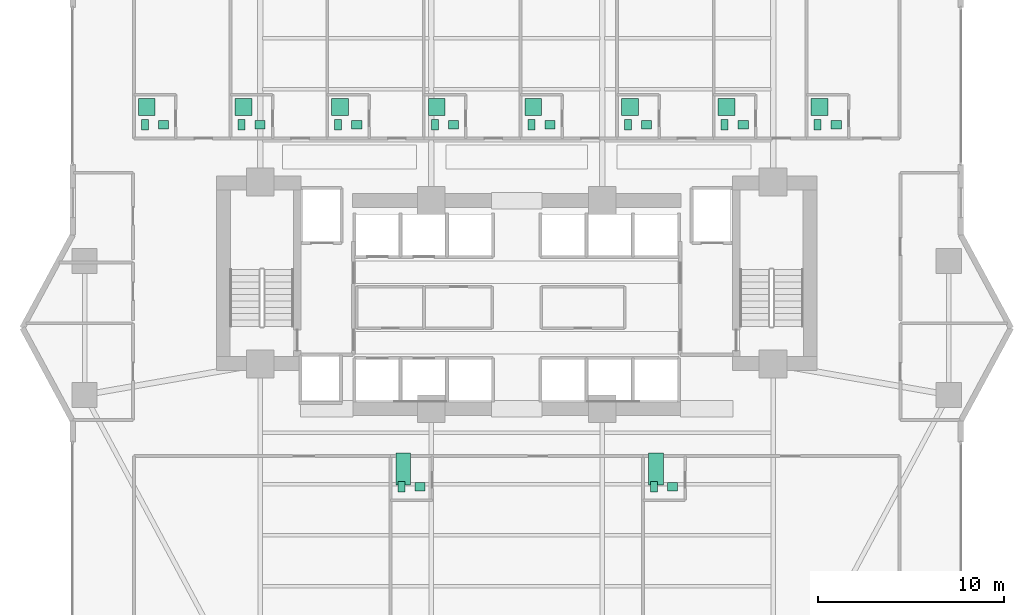
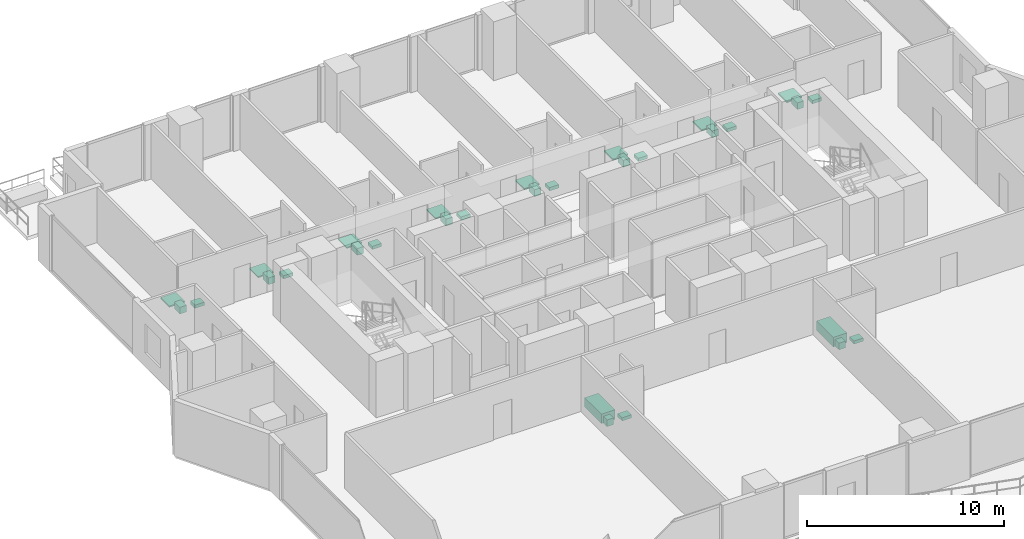
# One storey, part 28 of 28: 30 sanitary terminals.
"""IFC4 building model written with IfcOpenShell, lengths in metres."""

from ifc_helpers import new_model, si_unit, direction, frame, origin, origin_2d, place, context, subcontext, project, spatial, rectangle, extrude, material, type_object, element, save


model = new_model("IFC4")

# Units and contexts
model_context = context("Model", 3, precision=1e-05, world=origin(), true_north=direction((0.0, 1.0)))
body_context = subcontext(model_context, "Body", "Model", "MODEL_VIEW")
ifc_project = project(units=[si_unit("LENGTHUNIT", "METRE"), si_unit("AREAUNIT", "SQUARE_METRE"), si_unit("VOLUMEUNIT", "CUBIC_METRE"), si_unit("PLANEANGLEUNIT", "RADIAN"), si_unit("MASSUNIT", "GRAM", prefix="KILO")], contexts=[model_context])

# Site, building, storey
site_placement = place(None, origin())
site = spatial("IfcSite", under=ifc_project, at=site_placement, CompositionType="ELEMENT")
building_placement = place(site_placement, origin())
building = spatial("IfcBuilding", under=site, at=building_placement, Name="Zuhayl Quay Hotel", CompositionType="ELEMENT")
storey_placement = place(building_placement, frame((0.0, 0.0, 110.25)))
storey = spatial("IfcBuildingStorey", under=building, at=storey_placement, Name="L27", CompositionType="ELEMENT", Elevation=110.25)

# Sanitary terminals
ifc_material = material(Name="Vitreous Porcelain Sanitaryware")
sanitary_terminal_type_1 = type_object("IfcSanitaryTerminalType", Name="SAN_BASIN", PredefinedType="WASHHANDBASIN", material=ifc_material)
for number, where, z_axis, x_axis, name in (
    (1, (-19.010009765625, 17.43994140625, 0.0), (0.0, 0.0, 1.0), (1.0, 0.0, 0.0), "L27 Sanitary Fixture WASHHANDBASIN"),
    (2, (-13.81005859375, 17.43994140625, 0.0), (0.0, 0.0, 1.0), (1.0, 0.0, 0.0), "L27 Sanitary Fixture WASHHANDBASIN"),
    (3, (-8.610107421875, 17.43994140625, 0.0), (0.0, 0.0, 1.0), (1.0, 0.0, 0.0), "L27 Sanitary Fixture WASHHANDBASIN"),
    (4, (-3.409912109375, 17.43994140625, 0.0), (0.0, 0.0, 1.0), (1.0, 0.0, 0.0), "L27 Sanitary Fixture WASHHANDBASIN"),
    (5, (1.7900390625, 17.43994140625, 0.0), (0.0, 0.0, 1.0), (1.0, 0.0, 0.0), "L27 Sanitary Fixture WASHHANDBASIN"),
    (6, (6.989990234375, 17.43994140625, 0.0), (0.0, 0.0, 1.0), (1.0, 0.0, 0.0), "L27 Sanitary Fixture WASHHANDBASIN"),
    (7, (12.18994140625, 17.43994140625, 0.0), (0.0, 0.0, 1.0), (1.0, 0.0, 0.0), "L27 Sanitary Fixture WASHHANDBASIN"),
    (8, (17.18994140625, 17.43994140625, 0.0), (0.0, 0.0, 1.0), (1.0, 0.0, 0.0), "L27 Sanitary Fixture WASHHANDBASIN"),
    (9, (-5.2099609375, -2.0400390625, 0.0), (0.0, 0.0, 1.0), (1.0, 0.0, 0.0), "L27 Sanitary Fixture WASHHANDBASIN"),
    (10, (8.389892578125, -2.0400390625, 0.0), (0.0, 0.0, 1.0), (1.0, 0.0, 0.0), "L27 Sanitary Fixture WASHHANDBASIN"),
):
    element("IfcSanitaryTerminal", number, at=place(storey_placement, frame(where, z_axis=z_axis, x_axis=x_axis)), inside=storey, type_object=sanitary_terminal_type_1, Name=name, PredefinedType="WASHHANDBASIN", context=body_context, shape_type="SweptSolid", body=[
        extrude(rectangle(XDim=0.550048828125, YDim=0.449951171875, at=origin_2d()), origin(), (0.0, 0.0, 1.0), 0.199951171875),
    ])
sanitary_terminal_type_2 = type_object("IfcSanitaryTerminalType", Name="SAN_BATH", PredefinedType="BATH", material=ifc_material)
for number, where, z_axis, x_axis, name in (
    (11, (-6.110107421875, -1.090087890625, 0.0), (0.0, 0.0, 1.0), (1.0, 0.0, 0.0), "L27 Sanitary Fixture BATH"),
    (12, (7.489990234375, -1.090087890625, 0.0), (0.0, 0.0, 1.0), (1.0, 0.0, 0.0), "L27 Sanitary Fixture BATH"),
):
    element("IfcSanitaryTerminal", number, at=place(storey_placement, frame(where, z_axis=z_axis, x_axis=x_axis)), inside=storey, type_object=sanitary_terminal_type_2, Name=name, PredefinedType="BATH", context=body_context, shape_type="SweptSolid", body=[
        extrude(rectangle(XDim=0.800048828125, YDim=1.699951171875, at=origin_2d()), origin(), (0.0, 0.0, 1.0), 0.580078125),
    ])
sanitary_terminal_type_3 = type_object("IfcSanitaryTerminalType", Name="SAN_SHOWER", PredefinedType="SHOWER", material=ifc_material)
for number, where, z_axis, x_axis, name in (
    (13, (-19.909912109375, 18.389892578125, 0.0), (0.0, 0.0, 1.0), (1.0, 0.0, 0.0), "L27 Sanitary Fixture SHOWER"),
    (14, (-14.7099609375, 18.389892578125, 0.0), (0.0, 0.0, 1.0), (1.0, 0.0, 0.0), "L27 Sanitary Fixture SHOWER"),
    (15, (-9.510009765625, 18.389892578125, 0.0), (0.0, 0.0, 1.0), (1.0, 0.0, 0.0), "L27 Sanitary Fixture SHOWER"),
    (16, (-4.31005859375, 18.389892578125, 0.0), (0.0, 0.0, 1.0), (1.0, 0.0, 0.0), "L27 Sanitary Fixture SHOWER"),
    (17, (0.889892578125, 18.389892578125, 0.0), (0.0, 0.0, 1.0), (1.0, 0.0, 0.0), "L27 Sanitary Fixture SHOWER"),
    (18, (6.090087890625, 18.389892578125, 0.0), (0.0, 0.0, 1.0), (1.0, 0.0, 0.0), "L27 Sanitary Fixture SHOWER"),
    (19, (11.2900390625, 18.389892578125, 0.0), (0.0, 0.0, 1.0), (1.0, 0.0, 0.0), "L27 Sanitary Fixture SHOWER"),
    (20, (16.2900390625, 18.389892578125, 0.0), (0.0, 0.0, 1.0), (1.0, 0.0, 0.0), "L27 Sanitary Fixture SHOWER"),
):
    element("IfcSanitaryTerminal", number, at=place(storey_placement, frame(where, z_axis=z_axis, x_axis=x_axis)), inside=storey, type_object=sanitary_terminal_type_3, Name=name, PredefinedType="SHOWER", context=body_context, shape_type="SweptSolid", body=[
        extrude(rectangle(XDim=0.89990234375, YDim=0.89990234375, at=origin_2d()), origin(), (0.0, 0.0, 1.0), 0.080078125),
    ])
sanitary_terminal_type_4 = type_object("IfcSanitaryTerminalType", Name="SAN_WC", PredefinedType="TOILETPAN", material=ifc_material)
for number, where, z_axis, x_axis, name in (
    (21, (-20.010009765625, 17.43994140625, 0.0), (0.0, 0.0, 1.0), (1.0, 0.0, 0.0), "L27 Sanitary Fixture TOILETPAN"),
    (22, (-14.81005859375, 17.43994140625, 0.0), (0.0, 0.0, 1.0), (1.0, 0.0, 0.0), "L27 Sanitary Fixture TOILETPAN"),
    (23, (-9.610107421875, 17.43994140625, 0.0), (0.0, 0.0, 1.0), (1.0, 0.0, 0.0), "L27 Sanitary Fixture TOILETPAN"),
    (24, (-4.409912109375, 17.43994140625, 0.0), (0.0, 0.0, 1.0), (1.0, 0.0, 0.0), "L27 Sanitary Fixture TOILETPAN"),
    (25, (0.7900390625, 17.43994140625, 0.0), (0.0, 0.0, 1.0), (1.0, 0.0, 0.0), "L27 Sanitary Fixture TOILETPAN"),
    (26, (5.989990234375, 17.43994140625, 0.0), (0.0, 0.0, 1.0), (1.0, 0.0, 0.0), "L27 Sanitary Fixture TOILETPAN"),
    (27, (11.18994140625, 17.43994140625, 0.0), (0.0, 0.0, 1.0), (1.0, 0.0, 0.0), "L27 Sanitary Fixture TOILETPAN"),
    (28, (16.18994140625, 17.43994140625, 0.0), (0.0, 0.0, 1.0), (1.0, 0.0, 0.0), "L27 Sanitary Fixture TOILETPAN"),
    (29, (-6.2099609375, -2.0400390625, 0.0), (0.0, 0.0, 1.0), (1.0, 0.0, 0.0), "L27 Sanitary Fixture TOILETPAN"),
    (30, (7.389892578125, -2.0400390625, 0.0), (0.0, 0.0, 1.0), (1.0, 0.0, 0.0), "L27 Sanitary Fixture TOILETPAN"),
):
    element("IfcSanitaryTerminal", number, at=place(storey_placement, frame(where, z_axis=z_axis, x_axis=x_axis)), inside=storey, type_object=sanitary_terminal_type_4, Name=name, PredefinedType="TOILETPAN", context=body_context, shape_type="SweptSolid", body=[
        extrude(rectangle(XDim=0.3798828125, YDim=0.56005859375, at=origin_2d()), origin(), (0.0, 0.0, 1.0), 0.419921875),
    ])

save(model, "model.ifc")
